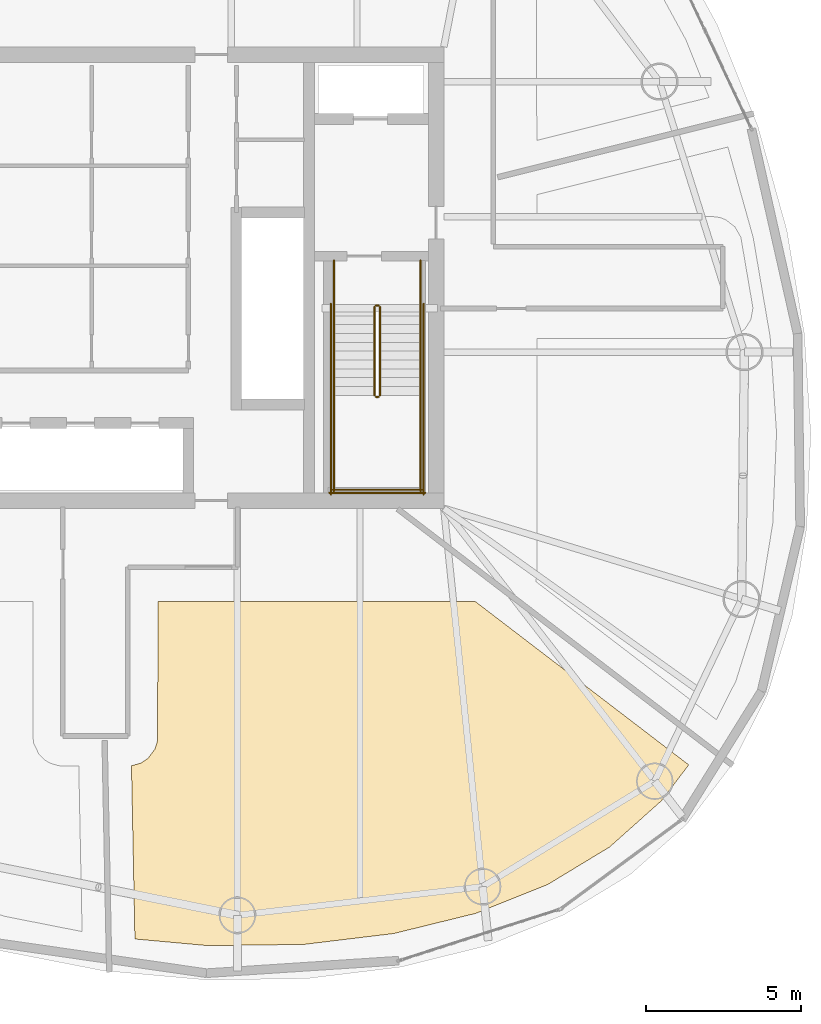
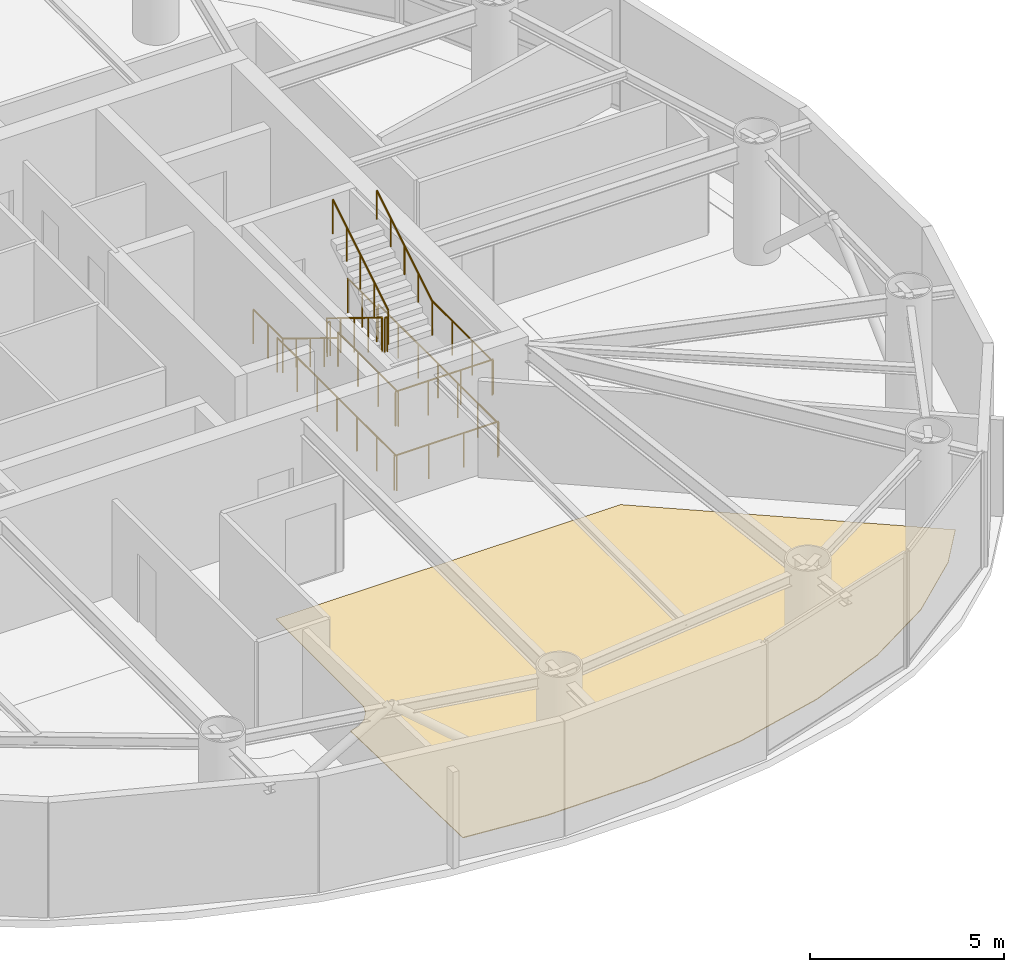
# One storey, part 19 of 20: 14 railings, 1 covering.
"""IFC4 building model written with IfcOpenShell, lengths in metres."""

import ifcopenshell
import ifcopenshell.guid

model = None  # the IFC model being written
_history = None  # IfcOwnerHistory: only IFC2X3 demands one
_inside = {}  # id of a spatial element -> (the spatial element, [elements in it])
_under = {}  # id of a project, library or spatial element -> (it, [spatial elements below it])
_declared = {}  # id of a project -> (the project, [libraries it declares])
_typed = {}  # id of a type object -> (the type object, [elements of that type])
_made_of = {}  # id of a material, layer set ... -> (it, [elements and type objects made of it])


def new_model(schema):
    """Start an empty IFC model of exactly this schema.

    Asked for "IFC4X3", IfcOpenShell would pick the latest addendum, in which some entities
    have other attributes; the version numbers below select the first issue.
    IFC2X3 requires an IfcOwnerHistory on every rooted entity: one is made here for all.
    """
    global model, _history
    if schema == "IFC4X3":
        model = ifcopenshell.file(schema_version=(4, 3, 0, 0))
    else:
        model = ifcopenshell.file(schema=schema)
    _inside.clear()
    _under.clear()
    _declared.clear()
    _typed.clear()
    _made_of.clear()
    _history = None
    if model.schema == "IFC2X3":
        org = make("IfcOrganization", Name="unknown")
        user = make(
            "IfcPersonAndOrganization",
            ThePerson=make("IfcPerson", FamilyName="unknown"),
            TheOrganization=org,
        )
        app = make(
            "IfcApplication",
            ApplicationDeveloper=org,
            Version="unknown",
            ApplicationFullName="unknown",
            ApplicationIdentifier="unknown",
        )
        _history = make(
            "IfcOwnerHistory",
            OwningUser=user,
            OwningApplication=app,
            ChangeAction="ADDED",
            CreationDate=0,
        )
    return model


def make(cls, **values):
    """One entity of the class cls with the attributes given. An attribute that is None is left unset."""
    return model.create_entity(
        cls, **{name: value for name, value in values.items() if value is not None}
    )


def rooted(cls, **values):
    """An entity with a GlobalId (a new one), such as an element, a storey or a relation."""
    return make(cls, GlobalId=ifcopenshell.guid.new(), OwnerHistory=_history, **values)


def si_unit(unit_type, name, prefix=None):
    """IfcSIUnit, for example si_unit("LENGTHUNIT", "METRE", prefix="MILLI")."""
    return make("IfcSIUnit", UnitType=unit_type, Prefix=prefix, Name=name)


def assignment(units):
    """IfcUnitAssignment: the units of a project."""
    return None if units is None else make("IfcUnitAssignment", Units=units)


def point(xyz):
    """IfcCartesianPoint."""
    return None if xyz is None else make("IfcCartesianPoint", Coordinates=xyz)


def direction(xyz):
    """IfcDirection."""
    return None if xyz is None else make("IfcDirection", DirectionRatios=xyz)


def frame(location, z_axis=None, x_axis=None):
    """IfcAxis2Placement3D, a coordinate frame: its origin and axes. An axis left out is left unset."""
    return make(
        "IfcAxis2Placement3D",
        Location=point(location),
        Axis=direction(z_axis),
        RefDirection=direction(x_axis),
    )


def frame_2d(location, x_axis=None):
    """IfcAxis2Placement2D, a coordinate frame in the plane: its origin and x axis."""
    return make(
        "IfcAxis2Placement2D", Location=point(location), RefDirection=direction(x_axis)
    )


def origin():
    """The frame at (0, 0, 0) with its axes left unset."""
    return frame((0.0, 0.0, 0.0))


def origin_2d():
    """The frame at (0, 0) in the plane with its x axis left unset."""
    return frame_2d((0.0, 0.0))


def place(relative_to, where):
    """IfcLocalPlacement: puts the frame where relative to a parent placement (None: the world)."""
    return make(
        "IfcLocalPlacement", PlacementRelTo=relative_to, RelativePlacement=where
    )


def context(
    kind, dimensions, precision=None, world=None, true_north=None, identifier=None
):
    """IfcGeometricRepresentationContext, for example the 3D "Model" context."""
    return make(
        "IfcGeometricRepresentationContext",
        ContextIdentifier=identifier,
        ContextType=kind,
        CoordinateSpaceDimension=dimensions,
        Precision=precision,
        WorldCoordinateSystem=world,
        TrueNorth=true_north,
    )


def subcontext(parent, identifier, kind, view, scale=None):
    """IfcGeometricRepresentationSubContext, for example "Body" below "Model"."""
    return make(
        "IfcGeometricRepresentationSubContext",
        ContextIdentifier=identifier,
        ContextType=kind,
        ParentContext=parent,
        TargetScale=scale,
        TargetView=view,
    )


def project(units=None, contexts=None):
    """IfcProject with its units and contexts."""
    return rooted(
        "IfcProject",
        Name="project",
        RepresentationContexts=contexts,
        UnitsInContext=assignment(units),
    )


def spatial(cls, under=None, at=None, **own):
    """A site, building, storey or space (cls), placed at a placement, below another one or the project."""
    s = rooted(cls, ObjectPlacement=at, **own)
    if under is not None:
        _under.setdefault(under.id(), (under, []))[1].append(s)
    return s


def polyline(points):
    """IfcPolyline through the points."""
    return make("IfcPolyline", Points=[point(p) for p in points])


def profile(cls, at=None, kind="AREA", **sizes):
    """A parametric profile (cls). Its sizes go by their IFC names, for example OverallWidth=200.0."""
    return make(cls, ProfileType=kind, Position=at, **sizes)


def circle(**sizes):
    """IfcCircleProfileDef."""
    return profile("IfcCircleProfileDef", **sizes)


def outline(outer, holes=None, kind="AREA"):
    """IfcArbitraryClosedProfileDef: a profile drawn as a closed curve; with holes, ...WithVoids."""
    if holes is None:
        return make("IfcArbitraryClosedProfileDef", ProfileType=kind, OuterCurve=outer)
    return make(
        "IfcArbitraryProfileDefWithVoids",
        ProfileType=kind,
        OuterCurve=outer,
        InnerCurves=holes,
    )


def extrude(swept, where, along, depth):
    """IfcExtrudedAreaSolid: the profile swept, set in the frame where, extruded along a direction by depth."""
    return make(
        "IfcExtrudedAreaSolid",
        SweptArea=swept,
        Position=where,
        ExtrudedDirection=direction(along),
        Depth=depth,
    )


def shape(context_of_items, identifier, shape_type, items):
    """IfcShapeRepresentation: the items that make up one representation, for example the "Body"."""
    return make(
        "IfcShapeRepresentation",
        ContextOfItems=context_of_items,
        RepresentationIdentifier=identifier,
        RepresentationType=shape_type,
        Items=items,
    )


def material(Name=None, Category=None):
    """IfcMaterial."""
    return make("IfcMaterial", Name=Name, Category=Category)


def layer(
    of_material, thickness, ventilated=None, Name=None, Category=None, Priority=None
):
    """IfcMaterialLayer: one layer of a wall or slab, of a material (None: an air gap)."""
    return make(
        "IfcMaterialLayer",
        Material=of_material,
        LayerThickness=thickness,
        IsVentilated=ventilated,
        Name=Name,
        Category=Category,
        Priority=Priority,
    )


def layer_set(layers, Name=None):
    """IfcMaterialLayerSet."""
    return make("IfcMaterialLayerSet", MaterialLayers=layers, LayerSetName=Name)


def made_of(thing, what):
    """Note that an element or type object is made of a material, layer set ...; save() writes the relation."""
    if what is not None:
        _made_of.setdefault(what.id(), (what, []))[1].append(thing)
    return thing


def type_object(cls, material=None, **own):
    """A type object (cls), such as IfcWallType, which elements share."""
    return made_of(rooted(cls, **own), material)


def element(
    cls,
    number,
    at=None,
    inside=None,
    cuts=None,
    type_object=None,
    material=None,
    context=None,
    identifier="Body",
    shape_type=None,
    held_by="IfcProductDefinitionShape",
    body=None,
    shapes=None,
    **own,
):
    """One element of the class cls, such as IfcWall. Its Tag is "e" and its number.

    at: its placement. inside: the storey or other place that contains it. cuts: it is an
    opening in that element (IfcRelVoidsElement). A single representation is given by context,
    identifier, shape_type and body (its items); several are given by shapes. held_by: the class
    of the entity that holds the representations. save() writes the other relations.
    """
    e = rooted(cls, Tag="e%d" % number, ObjectPlacement=at, **own)
    if body is not None:
        shapes = [shape(context, identifier, shape_type, body)]
    if shapes is not None:
        e.Representation = make(held_by, Representations=shapes)
    if inside is not None:
        _inside.setdefault(inside.id(), (inside, []))[1].append(e)
    if cuts is not None:
        rooted(
            "IfcRelVoidsElement", RelatingBuildingElement=cuts, RelatedOpeningElement=e
        )
    if type_object is not None:
        _typed.setdefault(type_object.id(), (type_object, []))[1].append(e)
    return made_of(e, material)


def aggregate(whole, parts):
    """IfcRelAggregates: a whole, such as a stair, and the parts it consists of."""
    return rooted("IfcRelAggregates", RelatingObject=whole, RelatedObjects=parts)


def save(model, path):
    """Write the relations noted so far, then the file.

    IfcRelAggregates (storeys below a building ...), IfcRelContainedInSpatialStructure (elements
    in a storey), IfcRelDefinesByType, IfcRelAssociatesMaterial and IfcRelDeclares: one each for
    every whole, place, type object, material and project.
    """
    for whole, parts in _under.values():
        aggregate(whole, parts)
    for where, things in _inside.values():
        rooted(
            "IfcRelContainedInSpatialStructure",
            RelatedElements=things,
            RelatingStructure=where,
        )
    for kind, things in _typed.values():
        rooted("IfcRelDefinesByType", RelatedObjects=things, RelatingType=kind)
    for what, things in _made_of.values():
        rooted("IfcRelAssociatesMaterial", RelatedObjects=things, RelatingMaterial=what)
    for by, libraries in _declared.values():
        rooted("IfcRelDeclares", RelatingContext=by, RelatedDefinitions=libraries)
    model.write(path)


model = new_model("IFC4")

# Units and contexts
model_context = context("Model", 3, precision=1e-05, world=origin(), true_north=direction((0.0, 1.0)))
body_context = subcontext(model_context, "Body", "Model", "MODEL_VIEW")
ifc_project = project(units=[si_unit("LENGTHUNIT", "METRE"), si_unit("AREAUNIT", "SQUARE_METRE"), si_unit("VOLUMEUNIT", "CUBIC_METRE"), si_unit("PLANEANGLEUNIT", "RADIAN"), si_unit("MASSUNIT", "GRAM", prefix="KILO")], contexts=[model_context])

# Site, building, storey
site_placement = place(None, origin())
site = spatial("IfcSite", under=ifc_project, at=site_placement, CompositionType="ELEMENT")
building_placement = place(site_placement, origin())
building = spatial("IfcBuilding", under=site, at=building_placement, Name="Bramvorn Convention Spire", CompositionType="ELEMENT")
storey_placement = place(building_placement, frame((0.0, 0.0, 202.0)))
storey = spatial("IfcBuildingStorey", under=building, at=storey_placement, Name="L51", CompositionType="ELEMENT", Elevation=202.0)

# Covering
ifc_material_1 = material(Name="Honed Dolomitic Limestone Terrazzo Flooring", Category="masonry")
ifc_layer = layer(ifc_material_1, 0.02490234375)
ifc_layer_set = layer_set([ifc_layer], Name="Honed Dolomitic Limestone Terrazzo Flooring - FLR-TERRAZZO-25")
covering_type = type_object("IfcCoveringType", Name="FLR-TERRAZZO-25", PredefinedType="FLOORING", material=ifc_layer_set)
covering_placement = place(storey_placement, origin())
element("IfcCovering", 1, at=covering_placement, inside=storey, type_object=covering_type, Name="L51 Reception Gallery 6 raised floor finish", PredefinedType="FLOORING", context=body_context, shape_type="SweptSolid", body=[
    extrude(outline(polyline([(39.276123046875, 4.6455078125), (41.617919921875, 4.4326171875), (44.728515625, 4.470703125), (47.633544921875, 4.822265625), (50.272705078125, 5.470947265625), (52.6025390625, 6.404296875), (54.602783203125, 7.61572265625), (56.2744140625, 9.107421875), (57.15673828125, 10.26806640625), (50.25537109375, 15.550048828125), (40.02001953125, 15.550048828125), (40.008544921875, 11.052001953125), (39.92431640625, 10.780029296875), (39.705810546875, 10.4853515625), (39.459228515625, 10.32080078125), (39.16455078125, 10.237548828125), (39.276123046875, 4.6455078125)])), origin(), (0.0, 0.0, 1.0), 0.02490234375),
])

# Railings
ifc_material_2 = material(Name="Painted Steel Balustrade & Guardrail", Category="steel")
railing_type_1 = type_object("IfcRailingType", Name="RL-STAIR-GUARD-1100", PredefinedType="GUARDRAIL", material=ifc_material_2)
railing_1_placement = place(storey_placement, frame((47.010009765625, 25.050048828125, 0.175048828125)))
element("IfcRailing", 2, at=railing_1_placement, inside=storey, type_object=railing_type_1, Name="L51 ST2 stair guard 1", PredefinedType="GUARDRAIL", context=body_context, shape_type="SweptSolid", body=[
    extrude(circle(Radius=0.02392578125, at=origin_2d()), frame((0.0, 0.0, 1.076171875), z_axis=(0.0, -0.852179220489, 0.52325001306), x_axis=(1.0, 0.0, 0.0)), (0.0, 0.0, 1.0), 3.344482421875),
    extrude(circle(Radius=0.02099609375, at=origin_2d()), origin(), (0.0, 0.0, 1.0), 1.052001953125),
    extrude(circle(Radius=0.02099609375, at=origin_2d()), frame((0.0, -0.71240234375, 0.4375)), (0.0, 0.0, 1.0), 1.052001953125),
    extrude(circle(Radius=0.02099609375, at=origin_2d()), frame((0.0, -1.425048828125, 0.875)), (0.0, 0.0, 1.0), 1.052001953125),
    extrude(circle(Radius=0.02099609375, at=origin_2d()), frame((0.0, -2.1376953125, 1.3125)), (0.0, 0.0, 1.0), 1.052001953125),
    extrude(circle(Radius=0.02099609375, at=origin_2d()), frame((0.0, -2.85009765625, 1.75)), (0.0, 0.0, 1.0), 1.052001953125),
])
railing_2_placement = place(storey_placement, frame((47.06005859375, 22.14990234375, 1.925048828125)))
element("IfcRailing", 3, at=railing_2_placement, inside=storey, type_object=railing_type_1, Name="L51 ST2 stair guard 2", PredefinedType="GUARDRAIL", context=body_context, shape_type="SweptSolid", body=[
    extrude(circle(Radius=0.02392578125, at=origin_2d()), frame((0.0, 0.0, 1.076171875), z_axis=(1.0, 0.0, 0.0), x_axis=(0.0, 1.0, 0.0)), (0.0, 0.0, 1.0), 0.079833984375),
    extrude(circle(Radius=0.02099609375, at=origin_2d()), origin(), (0.0, 0.0, 1.0), 1.052001953125),
    extrude(circle(Radius=0.02099609375, at=origin_2d()), frame((0.079833984375, 0.0, 0.0)), (0.0, 0.0, 1.0), 1.052001953125),
])
for number, where, name in (
    (4, (45.699951171875, 22.199951171875, 1.925048828125), "L51 ST2 stair guard 3"),
    (5, (48.5, 22.199951171875, 1.925048828125), "L51 ST2 stair guard 4"),
):
    element("IfcRailing", number, at=place(storey_placement, frame(where)), inside=storey, type_object=railing_type_1, Name=name, PredefinedType="GUARDRAIL", context=body_context, shape_type="SweptSolid", body=[
        extrude(circle(Radius=0.02392578125, at=origin_2d()), frame((0.0, 0.0, 1.076171875), z_axis=(0.0, -1.0, 0.0), x_axis=(1.0, 0.0, 0.0)), (0.0, 0.0, 1.0), 3.099853515625),
        extrude(circle(Radius=0.02099609375, at=origin_2d()), origin(), (0.0, 0.0, 1.0), 1.052001953125),
        extrude(circle(Radius=0.02099609375, at=origin_2d()), frame((0.0, -1.033203125, 0.0)), (0.0, 0.0, 1.0), 1.052001953125),
        extrude(circle(Radius=0.02099609375, at=origin_2d()), frame((0.0, -2.066650390625, 0.0)), (0.0, 0.0, 1.0), 1.052001953125),
        extrude(circle(Radius=0.02099609375, at=origin_2d()), frame((0.0, -3.099853515625, 0.0)), (0.0, 0.0, 1.0), 1.052001953125),
    ])
railing_3_placement = place(storey_placement, frame((45.64990234375, 19.14990234375, 1.925048828125)))
element("IfcRailing", 6, at=railing_3_placement, inside=storey, type_object=railing_type_1, Name="L51 ST2 stair guard 5", PredefinedType="GUARDRAIL", context=body_context, shape_type="SweptSolid", body=[
    extrude(circle(Radius=0.02392578125, at=origin_2d()), frame((0.0, 0.0, 1.076171875), z_axis=(1.0, 0.0, 0.0), x_axis=(0.0, 1.0, 0.0)), (0.0, 0.0, 1.0), 2.900146484375),
    extrude(circle(Radius=0.02099609375, at=origin_2d()), origin(), (0.0, 0.0, 1.0), 1.052001953125),
    extrude(circle(Radius=0.02099609375, at=origin_2d()), frame((0.966796875, 0.0, 0.0)), (0.0, 0.0, 1.0), 1.052001953125),
    extrude(circle(Radius=0.02099609375, at=origin_2d()), frame((1.933349609375, 0.0, 0.0)), (0.0, 0.0, 1.0), 1.052001953125),
    extrude(circle(Radius=0.02099609375, at=origin_2d()), frame((2.900146484375, 0.0, 0.0)), (0.0, 0.0, 1.0), 1.052001953125),
])
railing_4_placement = place(storey_placement, frame((47.18994140625, 22.199951171875, 2.10009765625)))
element("IfcRailing", 7, at=railing_4_placement, inside=storey, type_object=railing_type_1, Name="L51 ST2 stair guard 6", PredefinedType="GUARDRAIL", context=body_context, shape_type="SweptSolid", body=[
    extrude(circle(Radius=0.02392578125, at=origin_2d()), frame((0.0, 0.0, 1.076171875), z_axis=(0.0, 0.852179220489, 0.52325001306), x_axis=(-1.0, 0.0, 0.0)), (0.0, 0.0, 1.0), 3.344482421875),
    extrude(circle(Radius=0.02099609375, at=origin_2d()), origin(), (0.0, 0.0, 1.0), 1.052001953125),
    extrude(circle(Radius=0.02099609375, at=origin_2d()), frame((0.0, 0.71240234375, 0.4375)), (0.0, 0.0, 1.0), 1.052001953125),
    extrude(circle(Radius=0.02099609375, at=origin_2d()), frame((0.0, 1.425048828125, 0.875)), (0.0, 0.0, 1.0), 1.052001953125),
    extrude(circle(Radius=0.02099609375, at=origin_2d()), frame((0.0, 2.1376953125, 1.3125)), (0.0, 0.0, 1.0), 1.052001953125),
    extrude(circle(Radius=0.02099609375, at=origin_2d()), frame((0.0, 2.85009765625, 1.75)), (0.0, 0.0, 1.0), 1.052001953125),
])
railing_5_placement = place(storey_placement, frame((47.06005859375, 25.10009765625, 0.0)))
element("IfcRailing", 8, at=railing_5_placement, inside=storey, type_object=railing_type_1, Name="L51 ST2 stair guard 7", PredefinedType="GUARDRAIL", context=body_context, shape_type="SweptSolid", body=[
    extrude(circle(Radius=0.02392578125, at=origin_2d()), frame((0.0, 0.0, 1.076171875), z_axis=(1.0, 0.0, 0.0), x_axis=(0.0, 1.0, 0.0)), (0.0, 0.0, 1.0), 0.079833984375),
    extrude(circle(Radius=0.02099609375, at=origin_2d()), origin(), (0.0, 0.0, 1.0), 1.052001953125),
    extrude(circle(Radius=0.02099609375, at=origin_2d()), frame((0.079833984375, 0.0, 0.0)), (0.0, 0.0, 1.0), 1.052001953125),
])
for number, where, name in (
    (9, (45.699951171875, 26.550048828125, 0.0), "L51 ST2 stair guard 8"),
    (10, (48.5, 26.550048828125, 0.0), "L51 ST2 stair guard 9"),
):
    element("IfcRailing", number, at=place(storey_placement, frame(where)), inside=storey, type_object=railing_type_1, Name=name, PredefinedType="GUARDRAIL", context=body_context, shape_type="SweptSolid", body=[
        extrude(circle(Radius=0.02392578125, at=origin_2d()), frame((0.0, 0.0, 1.076171875), z_axis=(0.0, -1.0, 0.0), x_axis=(1.0, 0.0, 0.0)), (0.0, 0.0, 1.0), 1.5),
        extrude(circle(Radius=0.02099609375, at=origin_2d()), origin(), (0.0, 0.0, 1.0), 1.052001953125),
        extrude(circle(Radius=0.02099609375, at=origin_2d()), frame((0.0, -0.75, 0.0)), (0.0, 0.0, 1.0), 1.052001953125),
        extrude(circle(Radius=0.02099609375, at=origin_2d()), frame((0.0, -1.5, 0.0)), (0.0, 0.0, 1.0), 1.052001953125),
    ])
for number, where, name in (
    (11, (45.60009765625, 25.14990234375, 0.0), "L51 ST2 stair guard 10"),
    (12, (48.60009765625, 25.14990234375, 0.0), "L51 ST2 stair guard 11"),
):
    element("IfcRailing", number, at=place(storey_placement, frame(where)), inside=storey, type_object=railing_type_1, Name=name, PredefinedType="GUARDRAIL", context=body_context, shape_type="SweptSolid", body=[
        extrude(circle(Radius=0.02392578125, at=origin_2d()), frame((0.0, 0.0, 1.076171875), z_axis=(0.0, -1.0, 0.0), x_axis=(1.0, 0.0, 0.0)), (0.0, 0.0, 1.0), 6.14990234375),
        extrude(circle(Radius=0.02099609375, at=origin_2d()), origin(), (0.0, 0.0, 1.0), 1.052001953125),
        extrude(circle(Radius=0.02099609375, at=origin_2d()), frame((0.0, -1.02490234375, 0.0)), (0.0, 0.0, 1.0), 1.052001953125),
        extrude(circle(Radius=0.02099609375, at=origin_2d()), frame((0.0, -2.050048828125, 0.0)), (0.0, 0.0, 1.0), 1.052001953125),
        extrude(circle(Radius=0.02099609375, at=origin_2d()), frame((0.0, -3.074951171875, 0.0)), (0.0, 0.0, 1.0), 1.052001953125),
        extrude(circle(Radius=0.02099609375, at=origin_2d()), frame((0.0, -4.099853515625, 0.0)), (0.0, 0.0, 1.0), 1.052001953125),
        extrude(circle(Radius=0.02099609375, at=origin_2d()), frame((0.0, -5.125, 0.0)), (0.0, 0.0, 1.0), 1.052001953125),
        extrude(circle(Radius=0.02099609375, at=origin_2d()), frame((0.0, -6.14990234375, 0.0)), (0.0, 0.0, 1.0), 1.052001953125),
    ])
railing_6_placement = place(storey_placement, frame((45.550048828125, 19.050048828125, 0.0)))
element("IfcRailing", 13, at=railing_6_placement, inside=storey, type_object=railing_type_1, Name="L51 ST2 stair guard 12", PredefinedType="GUARDRAIL", context=body_context, shape_type="SweptSolid", body=[
    extrude(circle(Radius=0.02392578125, at=origin_2d()), frame((0.0, 0.0, 1.076171875), z_axis=(1.0, 0.0, 0.0), x_axis=(0.0, 1.0, 0.0)), (0.0, 0.0, 1.0), 3.099853515625),
    extrude(circle(Radius=0.02099609375, at=origin_2d()), origin(), (0.0, 0.0, 1.0), 1.052001953125),
    extrude(circle(Radius=0.02099609375, at=origin_2d()), frame((1.033203125, 0.0, 0.0)), (0.0, 0.0, 1.0), 1.052001953125),
    extrude(circle(Radius=0.02099609375, at=origin_2d()), frame((2.066650390625, 0.0, 0.0)), (0.0, 0.0, 1.0), 1.052001953125),
    extrude(circle(Radius=0.02099609375, at=origin_2d()), frame((3.099853515625, 0.0, 0.0)), (0.0, 0.0, 1.0), 1.052001953125),
])
ifc_material_3 = material(Name="Brushed Bronze Tubular Handrail", Category="aluminium")
railing_type_2 = type_object("IfcRailingType", Name="RL-STAIR-HR-920", PredefinedType="HANDRAIL", material=ifc_material_3)
railing_7_placement = place(storey_placement, frame((45.699951171875, 25.050048828125, 0.175048828125)))
element("IfcRailing", 14, at=railing_7_placement, inside=storey, type_object=railing_type_2, Name="L51 ST2 stair handrail 1", PredefinedType="HANDRAIL", context=body_context, shape_type="SweptSolid", body=[
    extrude(circle(Radius=0.02392578125, at=origin_2d()), frame((0.0, 0.0, 0.89599609375), z_axis=(0.0, -0.852179220489, 0.52325001306), x_axis=(1.0, 0.0, 0.0)), (0.0, 0.0, 1.0), 3.344482421875),
    extrude(circle(Radius=0.02099609375, at=origin_2d()), origin(), (0.0, 0.0, 1.0), 0.871826171875),
    extrude(circle(Radius=0.02099609375, at=origin_2d()), frame((0.0, -0.71240234375, 0.4375)), (0.0, 0.0, 1.0), 0.871826171875),
    extrude(circle(Radius=0.02099609375, at=origin_2d()), frame((0.0, -1.425048828125, 0.875)), (0.0, 0.0, 1.0), 0.871826171875),
    extrude(circle(Radius=0.02099609375, at=origin_2d()), frame((0.0, -2.1376953125, 1.3125)), (0.0, 0.0, 1.0), 0.871826171875),
    extrude(circle(Radius=0.02099609375, at=origin_2d()), frame((0.0, -2.85009765625, 1.75)), (0.0, 0.0, 1.0), 0.871826171875),
])
railing_8_placement = place(storey_placement, frame((48.5, 22.199951171875, 2.10009765625)))
element("IfcRailing", 15, at=railing_8_placement, inside=storey, type_object=railing_type_2, Name="L51 ST2 stair handrail 2", PredefinedType="HANDRAIL", context=body_context, shape_type="SweptSolid", body=[
    extrude(circle(Radius=0.02392578125, at=origin_2d()), frame((0.0, 0.0, 0.89599609375), z_axis=(0.0, 0.852179220489, 0.52325001306), x_axis=(-1.0, 0.0, 0.0)), (0.0, 0.0, 1.0), 3.344482421875),
    extrude(circle(Radius=0.02099609375, at=origin_2d()), origin(), (0.0, 0.0, 1.0), 0.871826171875),
    extrude(circle(Radius=0.02099609375, at=origin_2d()), frame((0.0, 0.71240234375, 0.4375)), (0.0, 0.0, 1.0), 0.871826171875),
    extrude(circle(Radius=0.02099609375, at=origin_2d()), frame((0.0, 1.425048828125, 0.875)), (0.0, 0.0, 1.0), 0.871826171875),
    extrude(circle(Radius=0.02099609375, at=origin_2d()), frame((0.0, 2.1376953125, 1.3125)), (0.0, 0.0, 1.0), 0.871826171875),
    extrude(circle(Radius=0.02099609375, at=origin_2d()), frame((0.0, 2.85009765625, 1.75)), (0.0, 0.0, 1.0), 0.871826171875),
])

save(model, "model.ifc")
